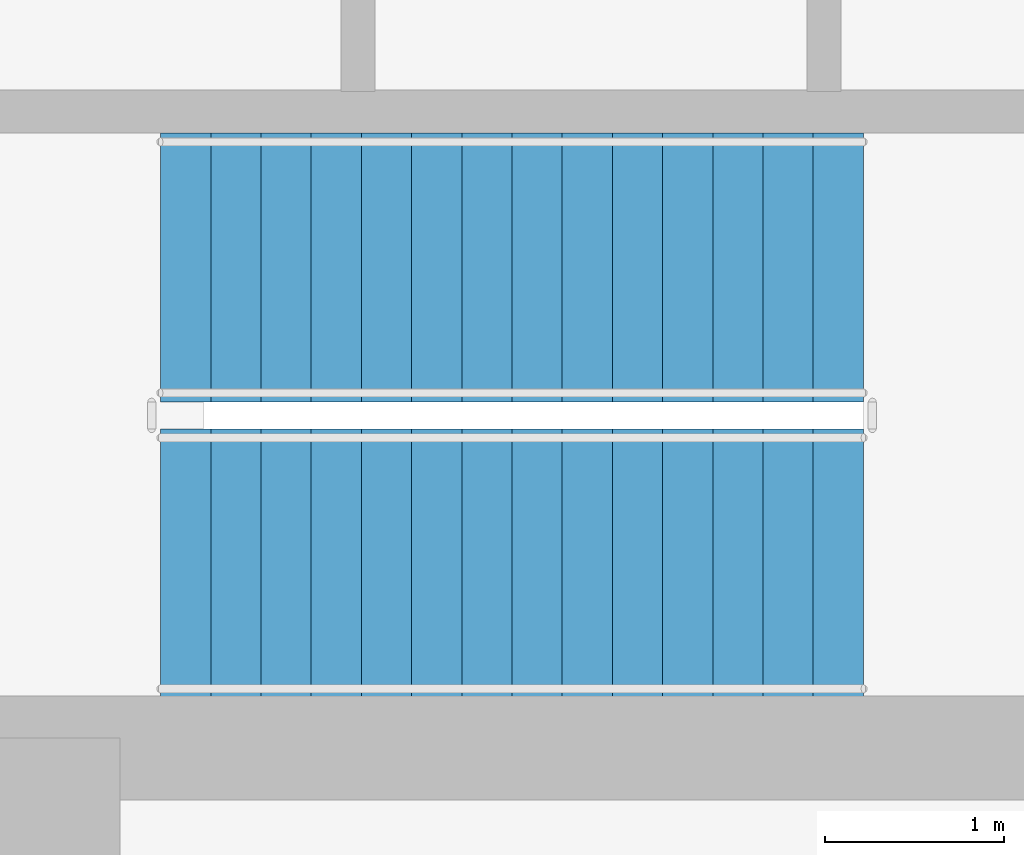
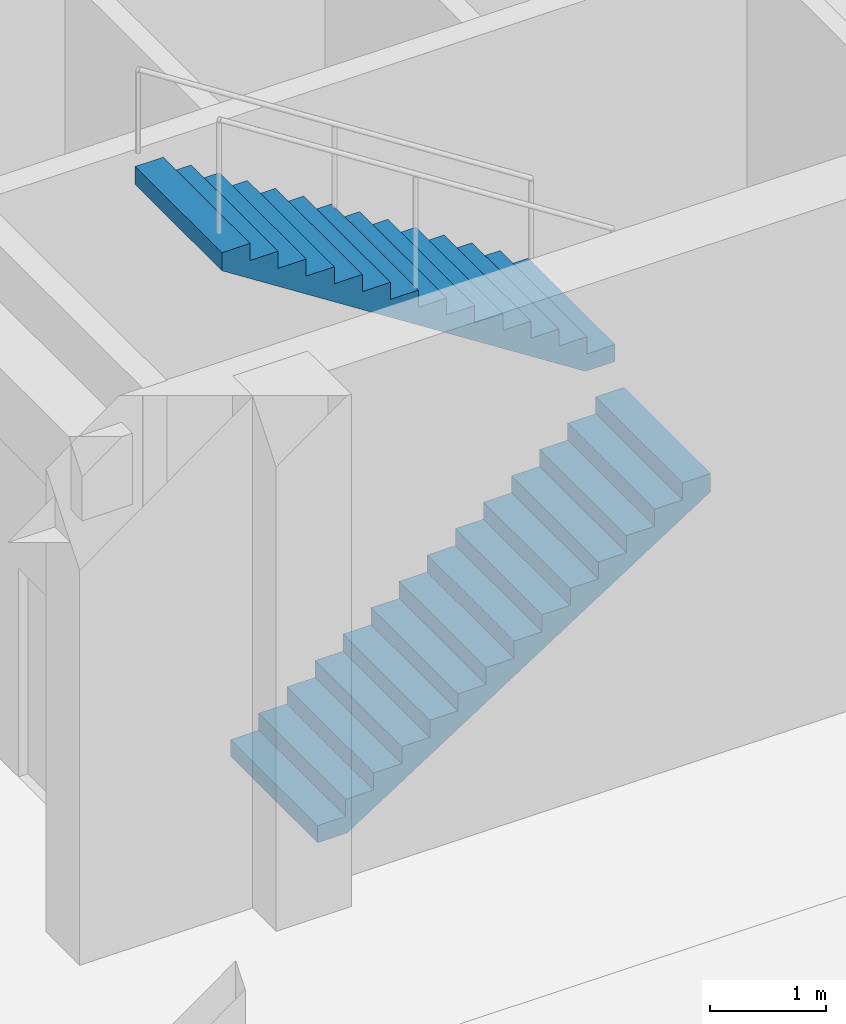
# One storey, part 14 of 17: 2 stair flights, 1 element without a shape of its own.
"""IFC4 building model written with IfcOpenShell, lengths in metres."""

from ifc_helpers import new_model, si_unit, direction, frame, origin, place, context, subcontext, project, spatial, polyline, outline, extrude, material, type_object, element, aggregate, save


model = new_model("IFC4")

# Units and contexts
model_context = context("Model", 3, precision=1e-05, world=origin(), true_north=direction((0.0, 1.0)))
body_context = subcontext(model_context, "Body", "Model", "MODEL_VIEW")
ifc_project = project(units=[si_unit("LENGTHUNIT", "METRE"), si_unit("AREAUNIT", "SQUARE_METRE"), si_unit("VOLUMEUNIT", "CUBIC_METRE"), si_unit("PLANEANGLEUNIT", "RADIAN"), si_unit("MASSUNIT", "GRAM", prefix="KILO")], contexts=[model_context])

# Site, building, storey
site_placement = place(None, origin())
site = spatial("IfcSite", under=ifc_project, at=site_placement, CompositionType="ELEMENT")
building_placement = place(site_placement, origin())
building = spatial("IfcBuilding", under=site, at=building_placement, Name="Qianrong Seaharbour Tower", CompositionType="ELEMENT")
storey_placement = place(building_placement, frame((0.0, 0.0, 373.0)))
storey = spatial("IfcBuildingStorey", under=building, at=storey_placement, Name="L90", CompositionType="ELEMENT", Elevation=373.0)

# Stair, stair flights
ifc_material = material(Name="Concrete C50/60", Category="concrete")
stair_type = type_object("IfcStairType", Name="STAIR-DOGLEG-1500-R30", PredefinedType="HALF_TURN_STAIR", material=ifc_material)
stair_placement = place(storey_placement, origin())
stair = element("IfcStair", 1, at=stair_placement, inside=storey, type_object=stair_type, Name="L90 Protected Escape Stair ST-2", PredefinedType="HALF_TURN_STAIR")
stair_flight_type = type_object("IfcStairFlightType", Name="FLIGHT-STR-1500-R30", PredefinedType="STRAIGHT", material=ifc_material)
stair_flight_1_placement = place(storey_placement, frame((57.10009765625, 37.35009765625, 0.0), z_axis=(0.0, 0.0, 1.0), x_axis=(1.0, 0.0, 0.0)))
stair_flight_1 = element("IfcStairFlight", 2, at=stair_flight_1_placement, type_object=stair_flight_type, Name="ST-2 flight 1", NumberOfRisers=15, NumberOfTreads=14, PredefinedType="STRAIGHT", RiserHeight=0.18, TreadLength=0.28, context=body_context, shape_type="SweptSolid", body=[
    extrude(outline(polyline([(0.0, 0.0), (0.0, 0.179931640625), (0.280029296875, 0.179931640625), (0.280029296875, 0.360107421875), (0.56005859375, 0.360107421875), (0.56005859375, 0.5400390625), (0.840087890625, 0.5400390625), (0.840087890625, 0.719970703125), (1.1201171875, 0.719970703125), (1.1201171875, 0.89990234375), (1.39990234375, 0.89990234375), (1.39990234375, 1.080078125), (1.679931640625, 1.080078125), (1.679931640625, 1.260009765625), (1.9599609375, 1.260009765625), (1.9599609375, 1.43994140625), (2.239990234375, 1.43994140625), (2.239990234375, 1.6201171875), (2.52001953125, 1.6201171875), (2.52001953125, 1.800048828125), (2.800048828125, 1.800048828125), (2.800048828125, 1.97998046875), (3.080078125, 1.97998046875), (3.080078125, 2.159912109375), (3.360107421875, 2.159912109375), (3.360107421875, 2.340087890625), (3.639892578125, 2.340087890625), (3.639892578125, 2.52001953125), (3.919921875, 2.52001953125), (3.919921875, 2.699951171875), (3.919921875, 2.329833984375), (0.295654296875, 0.0), (0.0, 0.0)])), frame((0.0, 0.75, 0.0), z_axis=(0.0, -1.0, 0.0), x_axis=(1.0, 0.0, 0.0)), (0.0, 0.0, 1.0), 1.5),
])
stair_flight_2_placement = place(storey_placement, frame((61.02001953125, 39.0, 2.699951171875), z_axis=(0.0, 0.0, 1.0), x_axis=(-1.0, 0.0, 0.0)))
stair_flight_2 = element("IfcStairFlight", 3, at=stair_flight_2_placement, type_object=stair_flight_type, Name="ST-2 flight 2", NumberOfRisers=15, NumberOfTreads=14, PredefinedType="STRAIGHT", RiserHeight=0.18, TreadLength=0.28, context=body_context, shape_type="SweptSolid", body=[
    extrude(outline(polyline([(0.0, 0.0), (0.0, 0.179931640625), (0.280029296875, 0.179931640625), (0.280029296875, 0.360107421875), (0.56005859375, 0.360107421875), (0.56005859375, 0.5400390625), (0.840087890625, 0.5400390625), (0.840087890625, 0.719970703125), (1.1201171875, 0.719970703125), (1.1201171875, 0.89990234375), (1.39990234375, 0.89990234375), (1.39990234375, 1.080078125), (1.679931640625, 1.080078125), (1.679931640625, 1.260009765625), (1.9599609375, 1.260009765625), (1.9599609375, 1.43994140625), (2.239990234375, 1.43994140625), (2.239990234375, 1.6201171875), (2.52001953125, 1.6201171875), (2.52001953125, 1.800048828125), (2.800048828125, 1.800048828125), (2.800048828125, 1.97998046875), (3.080078125, 1.97998046875), (3.080078125, 2.159912109375), (3.360107421875, 2.159912109375), (3.360107421875, 2.340087890625), (3.639892578125, 2.340087890625), (3.639892578125, 2.52001953125), (3.919921875, 2.52001953125), (3.919921875, 2.699951171875), (3.919921875, 2.329833984375), (0.295654296875, 0.0), (0.0, 0.0)])), frame((0.0, 0.75, 0.0), z_axis=(0.0, -1.0, 0.0), x_axis=(1.0, 0.0, 0.0)), (0.0, 0.0, 1.0), 1.5),
])
aggregate(stair, [stair_flight_1, stair_flight_2])

save(model, "model.ifc")
